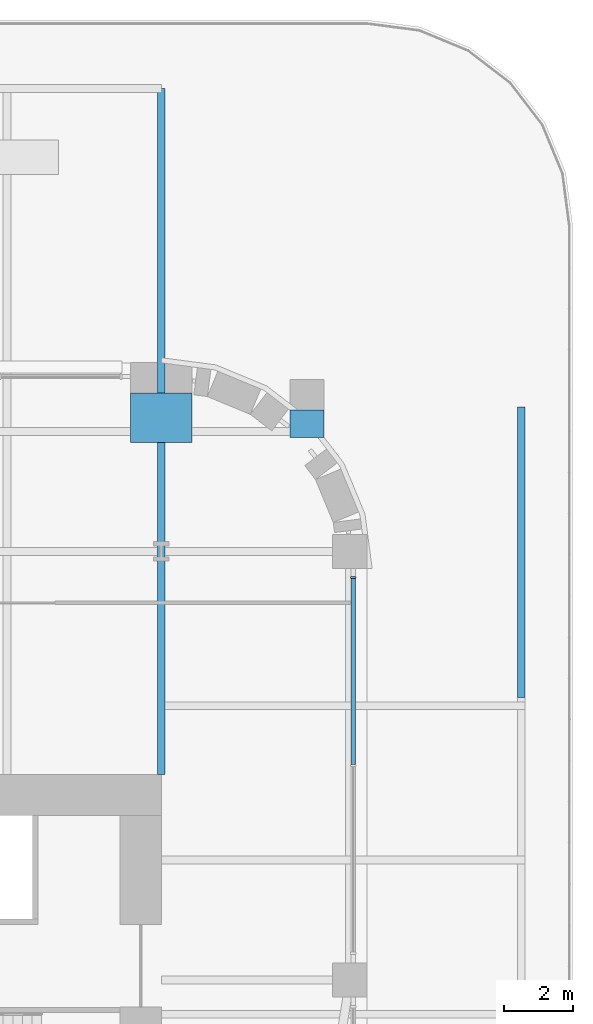
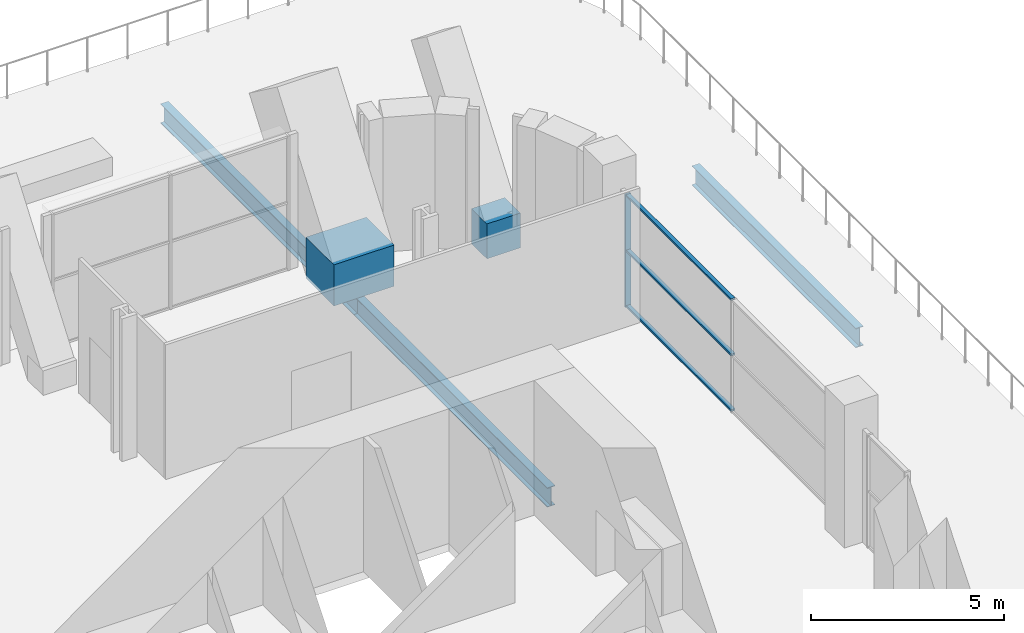
# One storey, part 11 of 26: 5 beams, 4 members, 1 element without a shape of its own.
"""IFC4 building model written with IfcOpenShell, lengths in metres."""

from ifc_helpers import new_model, si_unit, direction, frame, origin, origin_2d, place, context, subcontext, project, spatial, rectangle, i_section, extrude, material, material_profile, profile_set, type_object, element, aggregate, save


model = new_model("IFC4")

# Units and contexts
model_context = context("Model", 3, precision=1e-05, world=origin(), true_north=direction((0.0, 1.0)))
body_context = subcontext(model_context, "Body", "Model", "MODEL_VIEW")
ifc_project = project(units=[si_unit("LENGTHUNIT", "METRE"), si_unit("AREAUNIT", "SQUARE_METRE"), si_unit("VOLUMEUNIT", "CUBIC_METRE"), si_unit("PLANEANGLEUNIT", "RADIAN"), si_unit("MASSUNIT", "GRAM", prefix="KILO")], contexts=[model_context])

# Site, building, storey
site_placement = place(None, origin())
site = spatial("IfcSite", under=ifc_project, at=site_placement, CompositionType="ELEMENT")
building_placement = place(site_placement, origin())
building = spatial("IfcBuilding", under=site, at=building_placement, Name="Zellij Exchange Tower", CompositionType="ELEMENT")
storey_placement = place(building_placement, frame((0.0, 0.0, 39.0)))
storey = spatial("IfcBuildingStorey", under=building, at=storey_placement, Name="L06", CompositionType="ELEMENT", Elevation=39.0)

# Curtain wall, members
ifc_material_1 = material(Name="Aluminium frame, clear insulating glass", Category="aluminium")
curtain_wall_type = type_object("IfcCurtainWallType", Name="ENV-CW1 Sky-garden glazing", PredefinedType="NOTDEFINED", material=ifc_material_1)
curtain_wall_placement = place(storey_placement, origin())
curtain_wall = element("IfcCurtainWall", 1, at=curtain_wall_placement, inside=storey, type_object=curtain_wall_type, Name="cw.L06.07d", PredefinedType="NOTDEFINED")
ifc_material_2 = material(Name="Aluminium", Category="aluminium")
ifc_material_profile_1 = material_profile(ifc_material_2, rectangle(XDim=0.06005859375, YDim=0.159912109375, at=origin_2d()), Name="AL 60x160")
ifc_profile_set_1 = profile_set([ifc_material_profile_1], Name="Aluminium")
member_type_1 = type_object("IfcMemberType", Name="ENV-CW1M Mullion 60x160", PredefinedType="MULLION", material=ifc_profile_set_1)
member_1_placement = place(storey_placement, frame((32.60009765625, 3.743896484375, 0.0), z_axis=(0.0, 0.0, 1.0), x_axis=(0.0, 1.0, 0.0)))
member_1 = element("IfcMember", 2, at=member_1_placement, type_object=member_type_1, Name="CW1 mullion 3", PredefinedType="MULLION", context=body_context, shape_type="SweptSolid", body=[
    extrude(rectangle(XDim=0.06005859375, YDim=0.159912109375, at=origin_2d()), origin(), (0.0, 0.0, 1.0), 3.561767578125),
])
ifc_material_profile_2 = material_profile(ifc_material_2, rectangle(XDim=0.1201171875, YDim=0.06005859375, at=origin_2d()), Name="AL 120x60")
ifc_profile_set_2 = profile_set([ifc_material_profile_2], Name="Aluminium")
member_type_2 = type_object("IfcMemberType", Name="ENV-CW1T Transom 120x60", PredefinedType="USERDEFINED", material=ifc_profile_set_2)
member_2_placement = place(storey_placement, frame((32.60009765625, -1.7080078125, 0.030029296875), z_axis=(0.0, 1.0, 0.0), x_axis=(-1.0, 0.0, 0.0)))
member_2 = element("IfcMember", 3, at=member_2_placement, type_object=member_type_2, Name="CW1 transom 2.1", ObjectType="TRANSOM", PredefinedType="USERDEFINED", context=body_context, shape_type="SweptSolid", body=[
    extrude(rectangle(XDim=0.1201171875, YDim=0.06005859375, at=origin_2d()), origin(), (0.0, 0.0, 1.0), 5.421875),
])
member_3_placement = place(storey_placement, frame((32.60009765625, -1.7080078125, 1.781005859375), z_axis=(0.0, 1.0, 0.0), x_axis=(-1.0, 0.0, 0.0)))
member_3 = element("IfcMember", 4, at=member_3_placement, type_object=member_type_2, Name="CW1 transom 2.2", ObjectType="TRANSOM", PredefinedType="USERDEFINED", context=body_context, shape_type="SweptSolid", body=[
    extrude(rectangle(XDim=0.1201171875, YDim=0.06005859375, at=origin_2d()), origin(), (0.0, 0.0, 1.0), 5.421875),
])
member_4_placement = place(storey_placement, frame((32.60009765625, -1.7080078125, 3.53173828125), z_axis=(0.0, 1.0, 0.0), x_axis=(-1.0, 0.0, 0.0)))
member_4 = element("IfcMember", 5, at=member_4_placement, type_object=member_type_2, Name="CW1 transom 2.3", ObjectType="TRANSOM", PredefinedType="USERDEFINED", context=body_context, shape_type="SweptSolid", body=[
    extrude(rectangle(XDim=0.1201171875, YDim=0.06005859375, at=origin_2d()), origin(), (0.0, 0.0, 1.0), 5.421875),
])
aggregate(curtain_wall, [member_1, member_2, member_3, member_4])

# Beams
ifc_material_3 = material(Name="Structural steel ASTM A992 Gr 50", Category="steel")
ifc_material_profile_3 = material_profile(ifc_material_3, i_section(OverallWidth=0.22900390625, OverallDepth=0.612060546875, WebThickness=0.011962890625, FlangeThickness=0.01953125, at=origin_2d()), Name="W24x84")
ifc_profile_set_3 = profile_set([ifc_material_profile_3], Name="Structural steel ASTM A992 Gr 50")
beam_type_1 = type_object("IfcBeamType", Name="STR-GIRDER W24x84", PredefinedType="BEAM", material=ifc_profile_set_3)
for number, where, z_axis, x_axis, name in (
    (6, (27.0, -2.0, -0.55615234375), (0.0, 1.0, 0.0), (-1.0, 0.0, 0.0), "G4"),
    (7, (27.0, 8.0, -0.55615234375), (0.0, 1.0, 0.0), (-1.0, 0.0, 0.0), "G4"),
):
    element("IfcBeam", number, at=place(storey_placement, frame(where, z_axis=z_axis, x_axis=x_axis)), inside=storey, type_object=beam_type_1, Name=name, PredefinedType="BEAM", context=body_context, shape_type="SweptSolid", body=[
        extrude(i_section(OverallWidth=0.22900390625, OverallDepth=0.612060546875, WebThickness=0.011962890625, FlangeThickness=0.01953125, at=origin_2d()), origin(), (0.0, 0.0, 1.0), 10.0),
    ])
beam_1_placement = place(storey_placement, frame((37.5, 0.236083984375, -0.55615234375), z_axis=(0.0, 1.0, 0.0), x_axis=(-1.0, 0.0, 0.0)))
element("IfcBeam", 8, at=beam_1_placement, inside=storey, type_object=beam_type_1, Name="G4", PredefinedType="BEAM", context=body_context, shape_type="SweptSolid", body=[
    extrude(i_section(OverallWidth=0.22900390625, OverallDepth=0.612060546875, WebThickness=0.011962890625, FlangeThickness=0.01953125, at=origin_2d()), origin(), (0.0, 0.0, 1.0), 8.472900390625),
])
ifc_material_4 = material(Name="Concrete C70/85", Category="concrete")
ifc_material_profile_4 = material_profile(ifc_material_4, rectangle(XDim=1.0, YDim=1.10009765625, at=origin_2d()), Name="STR-KNUCKLE BLOCK RC1000x1100 C70/85")
ifc_profile_set_4 = profile_set([ifc_material_profile_4], Name="Concrete C70/85")
beam_type_2 = type_object("IfcBeamType", Name="STR-KNUCKLE BLOCK RC1000x1100 C70/85", PredefinedType="BEAM", material=ifc_profile_set_4)
beam_2_placement = place(storey_placement, frame((31.25, 7.818603515625, 0.22509765625), z_axis=(0.0, 1.0, 0.0), x_axis=(-1.0, 0.0, 0.0)))
element("IfcBeam", 9, at=beam_2_placement, inside=storey, type_object=beam_type_2, Name="KB4", PredefinedType="BEAM", context=body_context, shape_type="SweptSolid", body=[
    extrude(rectangle(XDim=1.0, YDim=1.10009765625, at=origin_2d()), origin(), (0.0, 0.0, 1.0), 0.8037109375),
])
ifc_material_profile_5 = material_profile(ifc_material_4, rectangle(XDim=1.800048828125, YDim=1.300048828125, at=origin_2d()), Name="STR-KNUCKLE BLOCK RC1800x1300 C70/85")
ifc_profile_set_5 = profile_set([ifc_material_profile_5], Name="Concrete C70/85")
beam_type_3 = type_object("IfcBeamType", Name="STR-KNUCKLE BLOCK RC1800x1300 C70/85", PredefinedType="BEAM", material=ifc_profile_set_5)
beam_3_placement = place(storey_placement, frame((27.0, 7.673583984375, 0.550048828125), z_axis=(0.0, 1.0, 0.0), x_axis=(-1.0, 0.0, 0.0)))
element("IfcBeam", 10, at=beam_3_placement, inside=storey, type_object=beam_type_3, Name="KB9", PredefinedType="BEAM", context=body_context, shape_type="SweptSolid", body=[
    extrude(rectangle(XDim=1.800048828125, YDim=1.300048828125, at=origin_2d()), origin(), (0.0, 0.0, 1.0), 1.446533203125),
])

save(model, "model.ifc")
